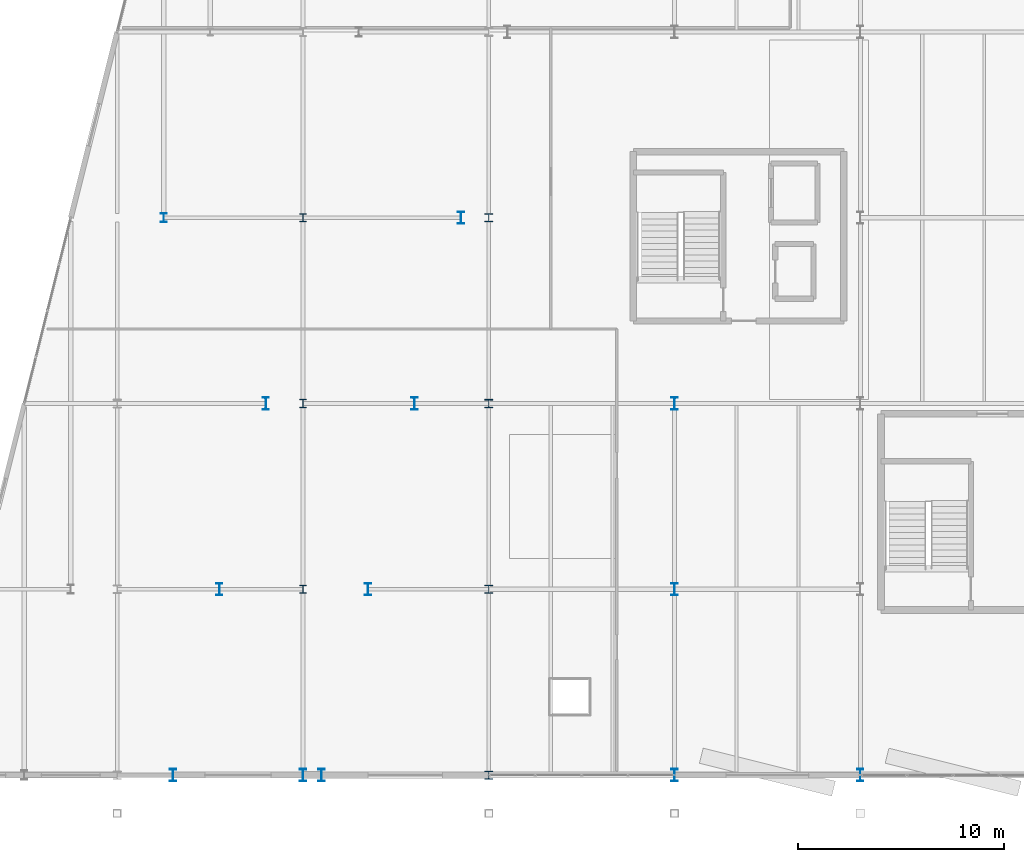
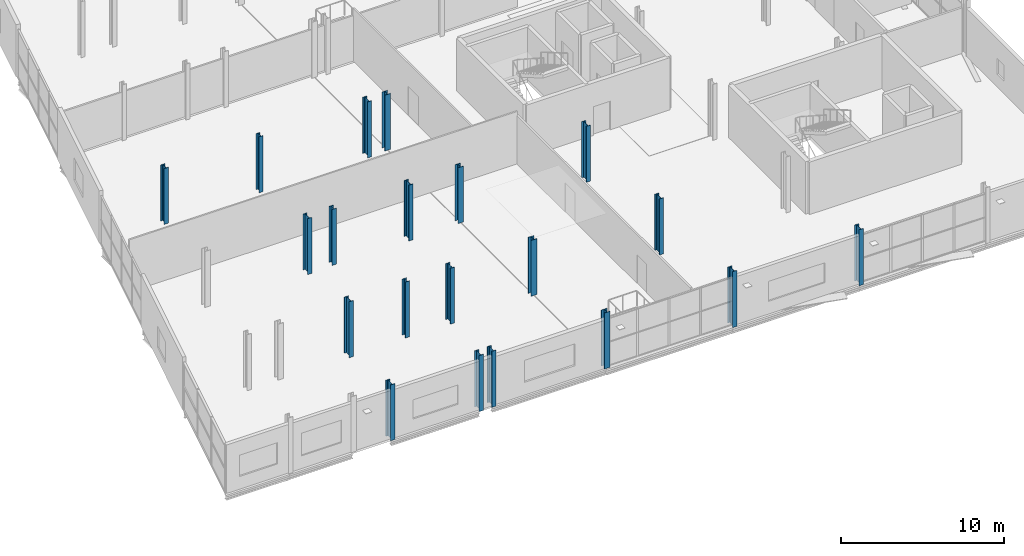
# One storey, part 13 of 132: 20 columns.
"""IFC4 building model written with IfcOpenShell, lengths in metres."""

from ifc_helpers import new_model, si_unit, direction, frame, origin, origin_2d, place, context, subcontext, project, spatial, i_section, extrude, material, material_profile, profile_set, type_object, element, save


model = new_model("IFC4")

# Units and contexts
model_context = context("Model", 3, precision=1e-05, world=origin(), true_north=direction((0.0, 1.0)))
body_context = subcontext(model_context, "Body", "Model", "MODEL_VIEW")
ifc_project = project(units=[si_unit("LENGTHUNIT", "METRE"), si_unit("AREAUNIT", "SQUARE_METRE"), si_unit("VOLUMEUNIT", "CUBIC_METRE"), si_unit("PLANEANGLEUNIT", "RADIAN"), si_unit("MASSUNIT", "GRAM", prefix="KILO")], contexts=[model_context])

# Site, building, storey
site_placement = place(None, origin())
site = spatial("IfcSite", under=ifc_project, at=site_placement, CompositionType="ELEMENT")
building_placement = place(site_placement, origin())
building = spatial("IfcBuilding", under=site, at=building_placement, Name="Deido Ridge Mobility Hub", CompositionType="ELEMENT")
storey_placement = place(building_placement, frame((0.0, 0.0, 8.39990234375)))
storey = spatial("IfcBuildingStorey", under=building, at=storey_placement, Name="L02", CompositionType="ELEMENT", Elevation=8.39990234375)

# Columns
ifc_material = material(Name="Steel S355J2 EN 10025-2", Category="steel")
ifc_material_profile_1 = material_profile(ifc_material, i_section(OverallWidth=0.39892578125, OverallDepth=0.39306640625, WebThickness=0.017578125, FlangeThickness=0.028076171875, FilletRadius=0.014892578125, at=origin_2d()), Name="HD 400x287")
ifc_profile_set_1 = profile_set([ifc_material_profile_1], Name="Steel S355J2 EN 10025-2")
column_type_1 = type_object("IfcColumnType", Name="COL-HD400-287", PredefinedType="COLUMN", material=ifc_profile_set_1)
for number, where, z_axis, x_axis, name in (
    (1, (144.0, 0.0, 0.0), (0.0, 0.0, 1.0), (1.0, 0.0, 0.0), "Structural column C2"),
    (2, (144.0, 9.0, 0.0), (0.0, 0.0, 1.0), (1.0, 0.0, 0.0), "Structural column C2"),
    (3, (144.0, 18.0, 0.0), (0.0, 0.0, 1.0), (1.0, 0.0, 0.0), "Structural column C2"),
    (4, (144.0, 27.0, 0.0), (0.0, 0.0, 1.0), (1.0, 0.0, 0.0), "Structural column C2"),
):
    element("IfcColumn", number, at=place(storey_placement, frame(where, z_axis=z_axis, x_axis=x_axis)), inside=storey, type_object=column_type_1, Name=name, PredefinedType="COLUMN", context=body_context, shape_type="SweptSolid", body=[
        extrude(i_section(OverallWidth=0.39892578125, OverallDepth=0.39306640625, WebThickness=0.017578125, FlangeThickness=0.028076171875, FilletRadius=0.014892578125, at=origin_2d()), origin(), (0.0, 0.0, 1.0), 4.2001953125),
    ])
ifc_material_profile_2 = material_profile(ifc_material, i_section(OverallWidth=0.300048828125, OverallDepth=0.39990234375, WebThickness=0.013427734375, FlangeThickness=0.02392578125, FilletRadius=0.027099609375, at=origin_2d()), Name="HEB 400")
ifc_profile_set_2 = profile_set([ifc_material_profile_2], Name="Steel S355J2 EN 10025-2")
column_type_2 = type_object("IfcColumnType", Name="COL-HEB400", PredefinedType="COLUMN", material=ifc_profile_set_2)
for number, where, z_axis, x_axis, name in (
    (5, (135.0, 9.0, 0.0), (0.0, 0.0, 1.0), (1.0, 0.0, 0.0), "Structural column C7"),
    (6, (135.0, 18.0, 0.0), (0.0, 0.0, 1.0), (1.0, 0.0, 0.0), "Structural column C7"),
    (7, (135.0, 27.0, 0.0), (0.0, 0.0, 1.0), (1.0, 0.0, 0.0), "Structural column C7"),
):
    element("IfcColumn", number, at=place(storey_placement, frame(where, z_axis=z_axis, x_axis=x_axis)), inside=storey, type_object=column_type_2, Name=name, PredefinedType="COLUMN", context=body_context, shape_type="SweptSolid", body=[
        extrude(i_section(OverallWidth=0.300048828125, OverallDepth=0.39990234375, WebThickness=0.013427734375, FlangeThickness=0.02392578125, FilletRadius=0.027099609375, at=origin_2d()), origin(), (0.0, 0.0, 1.0), 4.2001953125),
    ])
ifc_material_profile_3 = material_profile(ifc_material, i_section(OverallWidth=0.300048828125, OverallDepth=0.449951171875, WebThickness=0.013916015625, FlangeThickness=0.02587890625, FilletRadius=0.027099609375, at=origin_2d()), Name="HEB 450")
ifc_profile_set_3 = profile_set([ifc_material_profile_3], Name="Steel S355J2 EN 10025-2")
column_type_3 = type_object("IfcColumnType", Name="COL-HEB450", PredefinedType="COLUMN", material=ifc_profile_set_3)
column_placement = place(storey_placement, frame((128.25, 27.0, 0.0), z_axis=(0.0, 0.0, 1.0), x_axis=(1.0, 0.0, 0.0)))
element("IfcColumn", 8, at=column_placement, inside=storey, type_object=column_type_3, Name="Structural column C6", PredefinedType="COLUMN", context=body_context, shape_type="SweptSolid", body=[
    extrude(i_section(OverallWidth=0.300048828125, OverallDepth=0.449951171875, WebThickness=0.013916015625, FlangeThickness=0.02587890625, FilletRadius=0.027099609375, at=origin_2d()), origin(), (0.0, 0.0, 1.0), 4.2001953125),
])
ifc_material_profile_4 = material_profile(ifc_material, i_section(OverallWidth=0.300048828125, OverallDepth=0.60009765625, WebThickness=0.015380859375, FlangeThickness=0.030029296875, FilletRadius=0.027099609375, at=origin_2d()), Name="HEB 600")
ifc_profile_set_4 = profile_set([ifc_material_profile_4], Name="Steel S355J2 EN 10025-2")
column_type_4 = type_object("IfcColumnType", Name="COL-HEB600", PredefinedType="COLUMN", material=ifc_profile_set_4)
for number, where, z_axis, x_axis, name in (
    (9, (128.699951171875, 0.0, 0.0), (0.0, 0.0, 1.0), (1.0, 0.0, 0.0), "Structural column C4"),
    (10, (135.0, 0.0, 0.0), (0.0, 0.0, 1.0), (1.0, 0.0, 0.0), "Structural column C4"),
    (11, (135.89990234375, 0.0, 0.0), (0.0, 0.0, 1.0), (1.0, 0.0, 0.0), "Structural column C4"),
    (12, (153.0, 0.0, 0.0), (0.0, 0.0, 1.0), (1.0, 0.0, 0.0), "Structural column C4"),
    (13, (162.0, 0.0, 0.0), (0.0, 0.0, 1.0), (1.0, 0.0, 0.0), "Structural column C4"),
    (14, (130.949951171875, 9.0, 0.0), (0.0, 0.0, 1.0), (1.0, 0.0, 0.0), "Structural column C4"),
    (15, (138.14990234375, 9.0, 0.0), (0.0, 0.0, 1.0), (1.0, 0.0, 0.0), "Structural column C4"),
    (16, (153.0, 9.0, 0.0), (0.0, 0.0, 1.0), (1.0, 0.0, 0.0), "Structural column C4"),
    (17, (133.199951171875, 18.0, 0.0), (0.0, 0.0, 1.0), (1.0, 0.0, 0.0), "Structural column C4"),
    (18, (140.39990234375, 18.0, 0.0), (0.0, 0.0, 1.0), (1.0, 0.0, 0.0), "Structural column C4"),
    (19, (153.0, 18.0, 0.0), (0.0, 0.0, 1.0), (1.0, 0.0, 0.0), "Structural column C4"),
    (20, (142.64990234375, 27.0, 0.0), (0.0, 0.0, 1.0), (1.0, 0.0, 0.0), "Structural column C4"),
):
    element("IfcColumn", number, at=place(storey_placement, frame(where, z_axis=z_axis, x_axis=x_axis)), inside=storey, type_object=column_type_4, Name=name, PredefinedType="COLUMN", context=body_context, shape_type="SweptSolid", body=[
        extrude(i_section(OverallWidth=0.300048828125, OverallDepth=0.60009765625, WebThickness=0.015380859375, FlangeThickness=0.030029296875, FilletRadius=0.027099609375, at=origin_2d()), origin(), (0.0, 0.0, 1.0), 4.2001953125),
    ])

save(model, "model.ifc")
